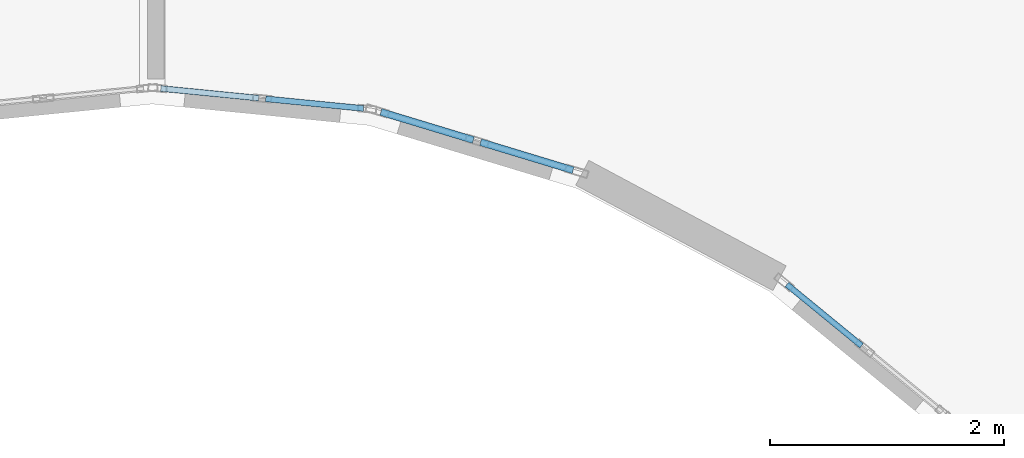
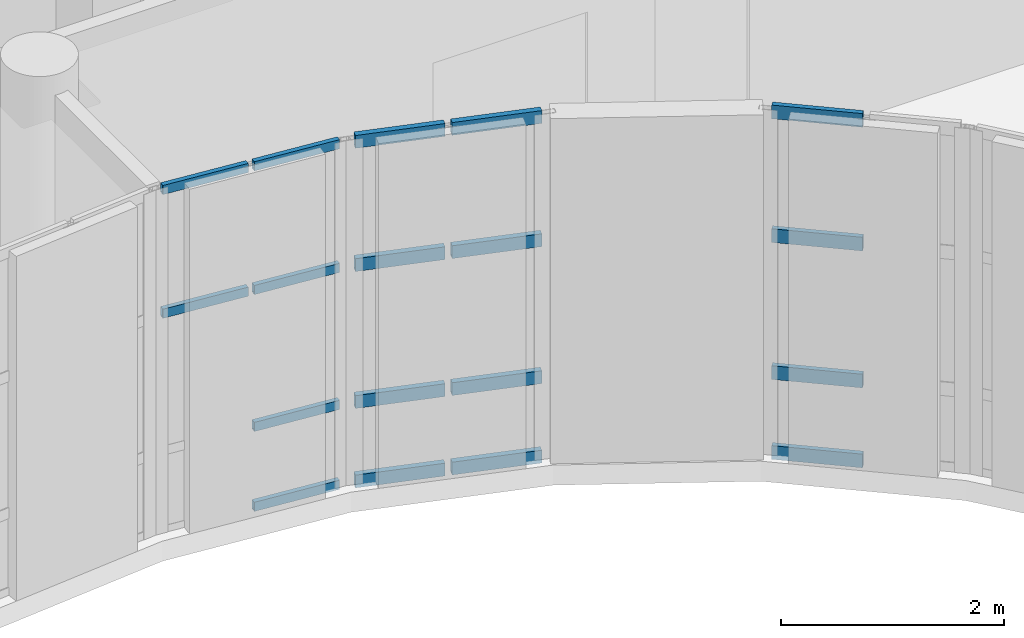
# One storey, part 60 of 105: 18 members, 3 elements without a shape of their own.
"""IFC4 building model written with IfcOpenShell, lengths in metres."""

from ifc_helpers import new_model, si_unit, direction, frame, origin, origin_2d, place, context, subcontext, project, spatial, hollow_rectangle, extrude, material, layer, layer_set, material_profile, profile_set, type_object, element, aggregate, save


model = new_model("IFC4")

# Units and contexts
model_context = context("Model", 3, precision=1e-05, world=origin(), true_north=direction((0.0, 1.0)))
body_context = subcontext(model_context, "Body", "Model", "MODEL_VIEW")
ifc_project = project(units=[si_unit("LENGTHUNIT", "METRE"), si_unit("AREAUNIT", "SQUARE_METRE"), si_unit("VOLUMEUNIT", "CUBIC_METRE"), si_unit("PLANEANGLEUNIT", "RADIAN"), si_unit("MASSUNIT", "GRAM", prefix="KILO")], contexts=[model_context])

# Site, building, storey
site_placement = place(None, origin())
site = spatial("IfcSite", under=ifc_project, at=site_placement, CompositionType="ELEMENT")
building_placement = place(site_placement, origin())
building = spatial("IfcBuilding", under=site, at=building_placement, Name="Kelanivale Promenade Academy", CompositionType="ELEMENT")
storey_placement = place(building_placement, frame((0.0, 0.0, 4.199951171875)))
storey = spatial("IfcBuildingStorey", under=building, at=storey_placement, Name="L01", CompositionType="ELEMENT", Elevation=4.199951171875)

# Curtain wall, members
ifc_material_1 = material(Name="Bronze anodised aluminium and solar-control low-E glass", Category="aluminium")
ifc_layer_1 = layer(ifc_material_1, 0.159912109375)
ifc_layer_set_1 = layer_set([ifc_layer_1], Name="Bronze anodised aluminium and solar-control low-E glass")
curtain_wall_type_1 = type_object("IfcCurtainWallType", Name="CW-09 Curtain Wall 1650mm Module", PredefinedType="USERDEFINED", material=ifc_layer_set_1)
curtain_wall_1_placement = place(storey_placement, origin())
curtain_wall_1 = element("IfcCurtainWall", 1, at=curtain_wall_1_placement, inside=storey, type_object=curtain_wall_type_1, Name="L01 courtyard curtain wall CW-09", ObjectType="UNITISED GLAZING", PredefinedType="USERDEFINED")
ifc_material_2 = material(Name="Bronze anodised aluminium EN AW-6063 T6", Category="aluminium")
ifc_material_profile_1 = material_profile(ifc_material_2, hollow_rectangle(XDim=0.050048828125, YDim=0.10009765625, WallThickness=0.0029296875, at=origin_2d()), Name="ALU 50x100x3.0")
ifc_profile_set_1 = profile_set([ifc_material_profile_1], Name="Bronze anodised aluminium EN AW-6063 T6")
member_type_1 = type_object("IfcMemberType", Name="CWT-01 ALU 50x100x3.0", PredefinedType="USERDEFINED", material=ifc_profile_set_1)
member_1_placement = place(storey_placement, frame((100.607177734375, 66.261962890625, 0.025146484375), z_axis=(-0.995174201639, 0.098123944036, 0.0), x_axis=(-0.098123944036, -0.995174201639, 0.0)))
member_1 = element("IfcMember", 2, at=member_1_placement, type_object=member_type_1, Name="CW-09 transom 1.1", ObjectType="TRANSOM", PredefinedType="USERDEFINED", context=body_context, shape_type="SweptSolid", body=[
    extrude(hollow_rectangle(XDim=0.050048828125, YDim=0.10009765625, WallThickness=0.0029296875, at=origin_2d()), origin(), (0.0, 0.0, 1.0), 0.841064453125),
])
member_2_placement = place(storey_placement, frame((100.607177734375, 66.261962890625, 0.900146484375), z_axis=(-0.995174201639, 0.098123944036, 0.0), x_axis=(-0.098123944036, -0.995174201639, 0.0)))
member_2 = element("IfcMember", 3, at=member_2_placement, type_object=member_type_1, Name="CW-09 transom 1.2", ObjectType="TRANSOM", PredefinedType="USERDEFINED", context=body_context, shape_type="SweptSolid", body=[
    extrude(hollow_rectangle(XDim=0.050048828125, YDim=0.10009765625, WallThickness=0.0029296875, at=origin_2d()), origin(), (0.0, 0.0, 1.0), 0.841064453125),
])
member_3_placement = place(storey_placement, frame((100.607177734375, 66.261962890625, 2.400146484375), z_axis=(-0.995174201639, 0.098123944036, 0.0), x_axis=(-0.098123944036, -0.995174201639, 0.0)))
member_3 = element("IfcMember", 4, at=member_3_placement, type_object=member_type_1, Name="CW-09 transom 1.3", ObjectType="TRANSOM", PredefinedType="USERDEFINED", context=body_context, shape_type="SweptSolid", body=[
    extrude(hollow_rectangle(XDim=0.050048828125, YDim=0.10009765625, WallThickness=0.0029296875, at=origin_2d()), origin(), (0.0, 0.0, 1.0), 0.841064453125),
])
member_4_placement = place(storey_placement, frame((100.607177734375, 66.261962890625, 3.755126953125), z_axis=(-0.995174201639, 0.098123944036, 0.0), x_axis=(-0.098123944036, -0.995174201639, 0.0)))
member_4 = element("IfcMember", 5, at=member_4_placement, type_object=member_type_1, Name="CW-09 transom 1.4", ObjectType="TRANSOM", PredefinedType="USERDEFINED", context=body_context, shape_type="SweptSolid", body=[
    extrude(hollow_rectangle(XDim=0.050048828125, YDim=0.10009765625, WallThickness=0.0029296875, at=origin_2d()), origin(), (0.0, 0.0, 1.0), 0.841064453125),
])
member_5_placement = place(storey_placement, frame((99.710693359375, 66.350341796875, 2.400146484375), z_axis=(-0.995145812266, 0.098411444095, 0.0), x_axis=(-0.098411444095, -0.995145812266, 0.0)))
member_5 = element("IfcMember", 6, at=member_5_placement, type_object=member_type_1, Name="CW-09 transom 2.3", ObjectType="TRANSOM", PredefinedType="USERDEFINED", context=body_context, shape_type="SweptSolid", body=[
    extrude(hollow_rectangle(XDim=0.050048828125, YDim=0.10009765625, WallThickness=0.0029296875, at=origin_2d()), origin(), (0.0, 0.0, 1.0), 0.841064453125),
])
member_6_placement = place(storey_placement, frame((99.710693359375, 66.350341796875, 3.755126953125), z_axis=(-0.995145812266, 0.098411444095, 0.0), x_axis=(-0.098411444095, -0.995145812266, 0.0)))
member_6 = element("IfcMember", 7, at=member_6_placement, type_object=member_type_1, Name="CW-09 transom 2.4", ObjectType="TRANSOM", PredefinedType="USERDEFINED", context=body_context, shape_type="SweptSolid", body=[
    extrude(hollow_rectangle(XDim=0.050048828125, YDim=0.10009765625, WallThickness=0.0029296875, at=origin_2d()), origin(), (0.0, 0.0, 1.0), 0.841064453125),
])
aggregate(curtain_wall_1, [member_1, member_2, member_3, member_4, member_5, member_6])

ifc_layer_2 = layer(ifc_material_1, 0.169921875)
ifc_layer_set_2 = layer_set([ifc_layer_2], Name="Bronze anodised aluminium and solar-control low-E glass")
curtain_wall_type_2 = type_object("IfcCurtainWallType", Name="CW-07 Curtain Wall 1350mm Module", PredefinedType="USERDEFINED", material=ifc_layer_set_2)
curtain_wall_2_placement = place(storey_placement, origin())
curtain_wall_2 = element("IfcCurtainWall", 8, at=curtain_wall_2_placement, inside=storey, type_object=curtain_wall_type_2, Name="L01 courtyard curtain wall CW-07", ObjectType="UNITISED GLAZING", PredefinedType="USERDEFINED")
ifc_material_profile_2 = material_profile(ifc_material_2, hollow_rectangle(XDim=0.050048828125, YDim=0.14990234375, WallThickness=0.00341796875, at=origin_2d()), Name="ALU 50x150x3.5")
ifc_profile_set_2 = profile_set([ifc_material_profile_2], Name="Bronze anodised aluminium EN AW-6063 T6")
member_type_2 = type_object("IfcMemberType", Name="CWT-03 ALU 50x150x3.5", PredefinedType="USERDEFINED", material=ifc_profile_set_2)
member_7_placement = place(storey_placement, frame((104.867919921875, 64.232177734375, 0.025146484375), z_axis=(-0.7732851825, 0.634058377853, 0.0), x_axis=(-0.634058377853, -0.7732851825, 0.0)))
member_7 = element("IfcMember", 9, at=member_7_placement, type_object=member_type_2, Name="CW-07 transom 2.1", ObjectType="TRANSOM", PredefinedType="USERDEFINED", context=body_context, shape_type="SweptSolid", body=[
    extrude(hollow_rectangle(XDim=0.050048828125, YDim=0.14990234375, WallThickness=0.00341796875, at=origin_2d()), origin(), (0.0, 0.0, 1.0), 0.825927734375),
])
member_8_placement = place(storey_placement, frame((104.867919921875, 64.232177734375, 0.900146484375), z_axis=(-0.7732851825, 0.634058377853, 0.0), x_axis=(-0.634058377853, -0.7732851825, 0.0)))
member_8 = element("IfcMember", 10, at=member_8_placement, type_object=member_type_2, Name="CW-07 transom 2.2", ObjectType="TRANSOM", PredefinedType="USERDEFINED", context=body_context, shape_type="SweptSolid", body=[
    extrude(hollow_rectangle(XDim=0.050048828125, YDim=0.14990234375, WallThickness=0.00341796875, at=origin_2d()), origin(), (0.0, 0.0, 1.0), 0.825927734375),
])
member_9_placement = place(storey_placement, frame((104.867919921875, 64.232177734375, 2.400146484375), z_axis=(-0.7732851825, 0.634058377853, 0.0), x_axis=(-0.634058377853, -0.7732851825, 0.0)))
member_9 = element("IfcMember", 11, at=member_9_placement, type_object=member_type_2, Name="CW-07 transom 2.3", ObjectType="TRANSOM", PredefinedType="USERDEFINED", context=body_context, shape_type="SweptSolid", body=[
    extrude(hollow_rectangle(XDim=0.050048828125, YDim=0.14990234375, WallThickness=0.00341796875, at=origin_2d()), origin(), (0.0, 0.0, 1.0), 0.825927734375),
])
member_10_placement = place(storey_placement, frame((104.867919921875, 64.232177734375, 3.755126953125), z_axis=(-0.7732851825, 0.634058377853, 0.0), x_axis=(-0.634058377853, -0.7732851825, 0.0)))
member_10 = element("IfcMember", 12, at=member_10_placement, type_object=member_type_2, Name="CW-07 transom 2.4", ObjectType="TRANSOM", PredefinedType="USERDEFINED", context=body_context, shape_type="SweptSolid", body=[
    extrude(hollow_rectangle(XDim=0.050048828125, YDim=0.14990234375, WallThickness=0.00341796875, at=origin_2d()), origin(), (0.0, 0.0, 1.0), 0.825927734375),
])
aggregate(curtain_wall_2, [member_7, member_8, member_9, member_10])

ifc_layer_3 = layer(ifc_material_1, 0.179931640625)
ifc_layer_set_3 = layer_set([ifc_layer_3], Name="Bronze anodised aluminium and solar-control low-E glass")
curtain_wall_type_3 = type_object("IfcCurtainWallType", Name="CW-08 Curtain Wall 1500mm Module", PredefinedType="USERDEFINED", material=ifc_layer_set_3)
curtain_wall_3_placement = place(storey_placement, origin())
curtain_wall_3 = element("IfcCurtainWall", 13, at=curtain_wall_3_placement, inside=storey, type_object=curtain_wall_type_3, Name="L01 courtyard curtain wall CW-08", ObjectType="UNITISED GLAZING", PredefinedType="USERDEFINED")
ifc_material_profile_3 = material_profile(ifc_material_2, hollow_rectangle(XDim=0.06005859375, YDim=0.139892578125, WallThickness=0.00341796875, at=origin_2d()), Name="ALU 60x140x3.5")
ifc_profile_set_3 = profile_set([ifc_material_profile_3], Name="Bronze anodised aluminium EN AW-6063 T6")
member_type_3 = type_object("IfcMemberType", Name="CWT-04 ALU 60x140x3.5", PredefinedType="USERDEFINED", material=ifc_profile_set_3)
member_11_placement = place(storey_placement, frame((102.39990234375, 65.73388671875, 0.030029296875), z_axis=(-0.956984636742, 0.290138596258, 0.0), x_axis=(-0.290138596258, -0.956984636742, 0.0)))
member_11 = element("IfcMember", 14, at=member_11_placement, type_object=member_type_3, Name="CW-08 transom 1.1", ObjectType="TRANSOM", PredefinedType="USERDEFINED", context=body_context, shape_type="SweptSolid", body=[
    extrude(hollow_rectangle(XDim=0.06005859375, YDim=0.139892578125, WallThickness=0.00341796875, at=origin_2d()), origin(), (0.0, 0.0, 1.0), 0.826416015625),
])
member_12_placement = place(storey_placement, frame((102.39990234375, 65.73388671875, 0.900146484375), z_axis=(-0.956984636742, 0.290138596258, 0.0), x_axis=(-0.290138596258, -0.956984636742, 0.0)))
member_12 = element("IfcMember", 15, at=member_12_placement, type_object=member_type_3, Name="CW-08 transom 1.2", ObjectType="TRANSOM", PredefinedType="USERDEFINED", context=body_context, shape_type="SweptSolid", body=[
    extrude(hollow_rectangle(XDim=0.06005859375, YDim=0.139892578125, WallThickness=0.00341796875, at=origin_2d()), origin(), (0.0, 0.0, 1.0), 0.826416015625),
])
member_13_placement = place(storey_placement, frame((102.39990234375, 65.73388671875, 2.400146484375), z_axis=(-0.956984636742, 0.290138596258, 0.0), x_axis=(-0.290138596258, -0.956984636742, 0.0)))
member_13 = element("IfcMember", 16, at=member_13_placement, type_object=member_type_3, Name="CW-08 transom 1.3", ObjectType="TRANSOM", PredefinedType="USERDEFINED", context=body_context, shape_type="SweptSolid", body=[
    extrude(hollow_rectangle(XDim=0.06005859375, YDim=0.139892578125, WallThickness=0.00341796875, at=origin_2d()), origin(), (0.0, 0.0, 1.0), 0.826416015625),
])
member_14_placement = place(storey_placement, frame((102.39990234375, 65.73388671875, 3.75), z_axis=(-0.956984636742, 0.290138596258, 0.0), x_axis=(-0.290138596258, -0.956984636742, 0.0)))
member_14 = element("IfcMember", 17, at=member_14_placement, type_object=member_type_3, Name="CW-08 transom 1.4", ObjectType="TRANSOM", PredefinedType="USERDEFINED", context=body_context, shape_type="SweptSolid", body=[
    extrude(hollow_rectangle(XDim=0.06005859375, YDim=0.139892578125, WallThickness=0.00341796875, at=origin_2d()), origin(), (0.0, 0.0, 1.0), 0.826416015625),
])
member_15_placement = place(storey_placement, frame((101.546875, 65.992431640625, 0.030029296875), z_axis=(-0.956984636742, 0.290138596258, 0.0), x_axis=(-0.290138596258, -0.956984636742, 0.0)))
member_15 = element("IfcMember", 18, at=member_15_placement, type_object=member_type_3, Name="CW-08 transom 2.1", ObjectType="TRANSOM", PredefinedType="USERDEFINED", context=body_context, shape_type="SweptSolid", body=[
    extrude(hollow_rectangle(XDim=0.06005859375, YDim=0.139892578125, WallThickness=0.00341796875, at=origin_2d()), origin(), (0.0, 0.0, 1.0), 0.826416015625),
])
member_16_placement = place(storey_placement, frame((101.546875, 65.992431640625, 0.900146484375), z_axis=(-0.956984636742, 0.290138596258, 0.0), x_axis=(-0.290138596258, -0.956984636742, 0.0)))
member_16 = element("IfcMember", 19, at=member_16_placement, type_object=member_type_3, Name="CW-08 transom 2.2", ObjectType="TRANSOM", PredefinedType="USERDEFINED", context=body_context, shape_type="SweptSolid", body=[
    extrude(hollow_rectangle(XDim=0.06005859375, YDim=0.139892578125, WallThickness=0.00341796875, at=origin_2d()), origin(), (0.0, 0.0, 1.0), 0.826416015625),
])
member_17_placement = place(storey_placement, frame((101.546875, 65.992431640625, 2.400146484375), z_axis=(-0.956984636742, 0.290138596258, 0.0), x_axis=(-0.290138596258, -0.956984636742, 0.0)))
member_17 = element("IfcMember", 20, at=member_17_placement, type_object=member_type_3, Name="CW-08 transom 2.3", ObjectType="TRANSOM", PredefinedType="USERDEFINED", context=body_context, shape_type="SweptSolid", body=[
    extrude(hollow_rectangle(XDim=0.06005859375, YDim=0.139892578125, WallThickness=0.00341796875, at=origin_2d()), origin(), (0.0, 0.0, 1.0), 0.826416015625),
])
member_18_placement = place(storey_placement, frame((101.546875, 65.992431640625, 3.75), z_axis=(-0.956984636742, 0.290138596258, 0.0), x_axis=(-0.290138596258, -0.956984636742, 0.0)))
member_18 = element("IfcMember", 21, at=member_18_placement, type_object=member_type_3, Name="CW-08 transom 2.4", ObjectType="TRANSOM", PredefinedType="USERDEFINED", context=body_context, shape_type="SweptSolid", body=[
    extrude(hollow_rectangle(XDim=0.06005859375, YDim=0.139892578125, WallThickness=0.00341796875, at=origin_2d()), origin(), (0.0, 0.0, 1.0), 0.826416015625),
])
aggregate(curtain_wall_3, [member_11, member_12, member_13, member_14, member_15, member_16, member_17, member_18])

save(model, "model.ifc")
